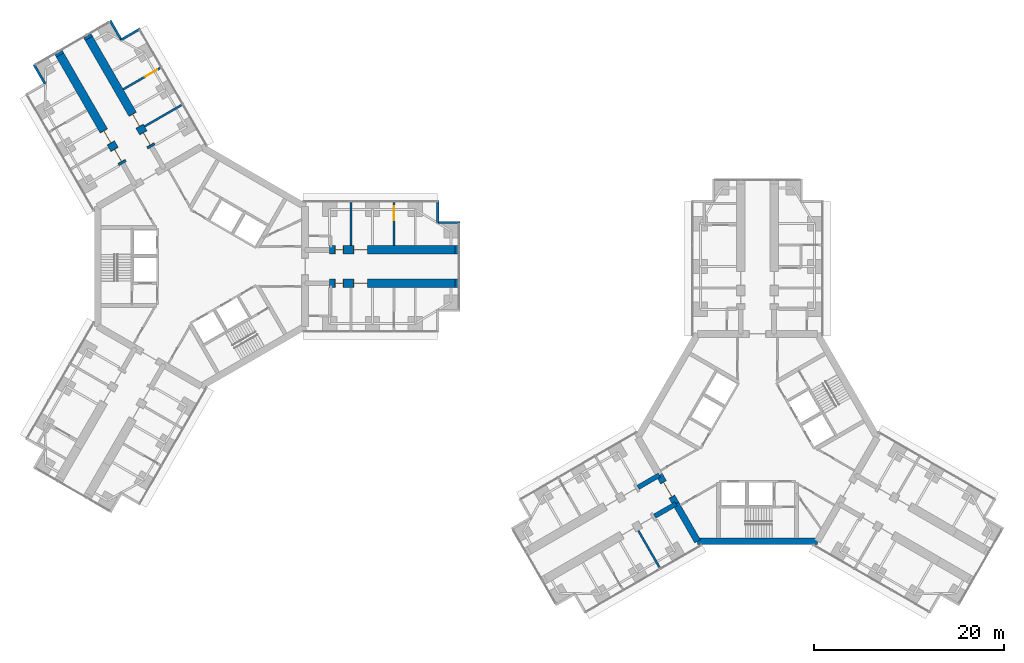
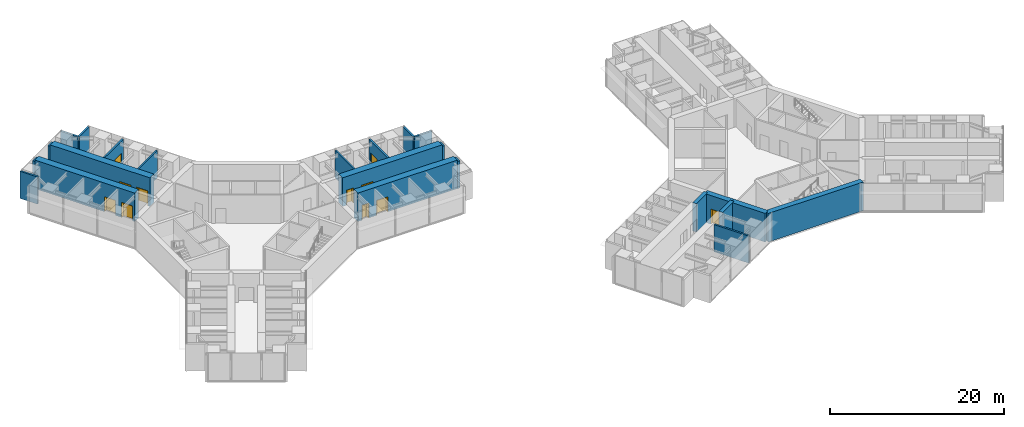
# One storey, part 18 of 22: 23 walls, 11 doors, 11 openings.
"""IFC4 building model written with IfcOpenShell, lengths in metres."""

from ifc_helpers import new_model, si_unit, direction, frame, frame_2d, origin, place, context, subcontext, project, spatial, rectangle, extrude, material, layer, layer_set, type_object, element, fill, save


model = new_model("IFC4")

# Units and contexts
model_context = context("Model", 3, precision=1e-05, world=origin(), true_north=direction((0.0, 1.0)))
body_context = subcontext(model_context, "Body", "Model", "MODEL_VIEW")
ifc_project = project(units=[si_unit("LENGTHUNIT", "METRE"), si_unit("AREAUNIT", "SQUARE_METRE"), si_unit("VOLUMEUNIT", "CUBIC_METRE"), si_unit("PLANEANGLEUNIT", "RADIAN"), si_unit("MASSUNIT", "GRAM", prefix="KILO")], contexts=[model_context])

# Site, building, storey
site_placement = place(None, origin())
site = spatial("IfcSite", under=ifc_project, at=site_placement, CompositionType="ELEMENT")
building_placement = place(site_placement, origin())
building = spatial("IfcBuilding", under=site, at=building_placement, Name="Upepo Twin Towers", CompositionType="ELEMENT")
storey_placement = place(building_placement, frame((0.0, 0.0, 40.5)))
storey = spatial("IfcBuildingStorey", under=building, at=storey_placement, Name="L09", CompositionType="ELEMENT", Elevation=40.5)

# Wall
ifc_material_1 = material(Name="Concrete blockwork, plastered both faces", Category="masonry")
ifc_layer_1 = layer(ifc_material_1, 0.215087890625)
ifc_layer_set_1 = layer_set([ifc_layer_1], Name="Blockwork partition 215")
wall_type_1 = type_object("IfcWallType", Name="Blockwork partition 215", PredefinedType="PARTITIONING", material=ifc_layer_set_1)
wall_1_placement = place(storey_placement, frame((15.75, 2.199951171875, 0.0), z_axis=(0.0, 0.0, 1.0), x_axis=(0.0, 1.0, 0.0)))
element("IfcWall", 1, at=wall_1_placement, inside=storey, type_object=wall_type_1, Name="T1 partition AL at 15.75", PredefinedType="PARTITIONING", context=body_context, shape_type="SweptSolid", body=[
    extrude(rectangle(XDim=4.550048828125, YDim=0.215087890625, at=frame_2d((2.27490234375, 0.0))), origin(), (0.0, 0.0, 1.0), 3.800048828125),
])

# Wall, opening, door
wall_2_placement = place(storey_placement, frame((20.25, 2.199951171875, 0.0), z_axis=(0.0, 0.0, 1.0), x_axis=(0.0, 1.0, 0.0)))
wall_2 = element("IfcWall", 2, at=wall_2_placement, inside=storey, type_object=wall_type_1, Name="T1 partition AL at 20.25", PredefinedType="PARTITIONING", context=body_context, shape_type="SweptSolid", body=[
    extrude(rectangle(XDim=4.550048828125, YDim=0.215087890625, at=frame_2d((2.27490234375, 0.0))), origin(), (0.0, 0.0, 1.0), 3.800048828125),
])
opening_1_placement = place(wall_2_placement, frame((2.64990234375, 0.0, 0.0)))
opening_1 = element("IfcOpeningElement", 3, at=opening_1_placement, cuts=wall_2, Name="Opening D13", PredefinedType="OPENING", context=body_context, shape_type="SweptSolid", body=[
    extrude(rectangle(XDim=1.5, YDim=2.10009765625, at=frame_2d((0.75, 1.050048828125))), frame((0.0, 0.117431640625, 0.0), z_axis=(0.0, -1.0, 0.0), x_axis=(1.0, 0.0, 0.0)), (0.0, 0.0, 1.0), 0.235107421875),
])
ifc_material_2 = material(Name="Timber doorset", Category="wood")
door_type_1 = type_object("IfcDoorType", Name="Double door 1500 FD30", OperationType="DOUBLE_DOOR_SINGLE_SWING", PredefinedType="DOOR", material=ifc_material_2)
door_1_placement = place(opening_1_placement, origin())
door_1 = element("IfcDoor", 4, at=door_1_placement, inside=storey, type_object=door_type_1, Name="T1 L09 connecting door", OperationType="DOUBLE_DOOR_SINGLE_SWING", OverallHeight=2.10009765625, OverallWidth=1.5, PredefinedType="DOOR", context=body_context, shape_type="SweptSolid", body=[
    extrude(rectangle(XDim=1.5, YDim=2.10009765625, at=frame_2d((0.75, 1.050048828125))), frame((0.0, 0.02490234375, 0.0), z_axis=(0.0, -1.0, 0.0), x_axis=(1.0, 0.0, 0.0)), (0.0, 0.0, 1.0), 0.050048828125),
])
fill(opening_1, door_1)

# Wall
wall_3_placement = place(storey_placement, frame((-5.9697265625, 14.739990234375, 0.0), z_axis=(0.0, 0.0, 1.0), x_axis=(0.866035472144, 0.499982560684, 0.0)))
element("IfcWall", 5, at=wall_3_placement, inside=storey, type_object=wall_type_1, Name="T1 partition BR at 15.75", PredefinedType="PARTITIONING", context=body_context, shape_type="SweptSolid", body=[
    extrude(rectangle(XDim=4.550048828125, YDim=0.215087890625, at=frame_2d((2.27490234375, 0.0))), origin(), (0.0, 0.0, 1.0), 3.800048828125),
])

# Wall, opening, door
wall_4_placement = place(storey_placement, frame((-8.2197265625, 18.636962890625, 0.0), z_axis=(0.0, 0.0, 1.0), x_axis=(0.866012237902, 0.500022803284, 0.0)))
wall_4 = element("IfcWall", 6, at=wall_4_placement, inside=storey, type_object=wall_type_1, Name="T1 partition BR at 20.25", PredefinedType="PARTITIONING", context=body_context, shape_type="SweptSolid", body=[
    extrude(rectangle(XDim=4.550048828125, YDim=0.215087890625, at=frame_2d((2.27490234375, 0.0))), origin(), (0.0, 0.0, 1.0), 3.800048828125),
])
opening_2_placement = place(wall_4_placement, frame((2.64990234375, 0.0, 0.0)))
opening_2 = element("IfcOpeningElement", 7, at=opening_2_placement, cuts=wall_4, Name="Opening D13", PredefinedType="OPENING", context=body_context, shape_type="SweptSolid", body=[
    extrude(rectangle(XDim=1.5, YDim=2.10009765625, at=frame_2d((0.75, 1.050048828125))), frame((0.0, 0.117431640625, 0.0), z_axis=(0.0, -1.0, 0.0), x_axis=(1.0, 0.0, 0.0)), (0.0, 0.0, 1.0), 0.235107421875),
])
door_2_placement = place(opening_2_placement, origin())
door_2 = element("IfcDoor", 8, at=door_2_placement, inside=storey, type_object=door_type_1, Name="T1 L09 connecting door", OperationType="DOUBLE_DOOR_SINGLE_SWING", OverallHeight=2.10009765625, OverallWidth=1.5, PredefinedType="DOOR", context=body_context, shape_type="SweptSolid", body=[
    extrude(rectangle(XDim=1.5, YDim=2.10009765625, at=frame_2d((0.75, 1.050048828125))), frame((0.0, 0.02490234375, 0.0), z_axis=(0.0, -1.0, 0.0), x_axis=(1.0, 0.0, 0.0)), (0.0, 0.0, 1.0), 0.050048828125),
])
fill(opening_2, door_2)

# Walls
wall_5_placement = place(storey_placement, frame((45.960205078125, -27.7802734375, 0.0), z_axis=(0.0, 0.0, 1.0), x_axis=(0.499982560684, -0.866035472144, 0.0)))
element("IfcWall", 9, at=wall_5_placement, inside=storey, type_object=wall_type_1, Name="T2 partition BL at 15.75", PredefinedType="PARTITIONING", context=body_context, shape_type="SweptSolid", body=[
    extrude(rectangle(XDim=4.550048828125, YDim=0.215087890625, at=frame_2d((2.27490234375, 0.0))), origin(), (0.0, 0.0, 1.0), 3.800048828125),
])
ifc_material_3 = material(Name="Dense concrete blockwork", Category="masonry")
ifc_layer_2 = layer(ifc_material_3, 0.89990234375)
ifc_layer_set_2 = layer_set([ifc_layer_2], Name="Buttress closer 900, blockwork with fire-stopping to the curtain wall")
wall_type_2 = type_object("IfcWallType", Name="Buttress closer 900, blockwork with fire-stopping to the curtain wall", PredefinedType="PARTITIONING", material=ifc_layer_set_2)
for number, where, z_axis, x_axis, name in (
    (10, (26.699951171875, 1.75, 0.0), (0.0, 0.0, 1.0), (1.0, 0.0, 0.0), "T1 L09 wing A buttress closer L"),
    (11, (26.699951171875, -1.75, 0.0), (0.0, 0.0, 1.0), (1.0, 0.0, 0.0), "T1 L09 wing A buttress closer R"),
    (12, (-14.865478515625, 22.247802734375, 0.0), (0.0, 0.0, 1.0), (-0.499949632511, 0.866054481515, 0.0), "T1 L09 wing B buttress closer L"),
    (13, (-11.83447265625, 23.997802734375, 0.0), (0.0, 0.0, 1.0), (-0.499949632511, 0.866054481515, 0.0), "T1 L09 wing B buttress closer R"),
):
    element("IfcWall", number, at=place(storey_placement, frame(where, z_axis=z_axis, x_axis=x_axis)), inside=storey, type_object=wall_type_2, Name=name, PredefinedType="PARTITIONING", context=body_context, shape_type="SweptSolid", body=[
        extrude(rectangle(XDim=0.31005859375, YDim=0.89990234375, at=frame_2d((0.155029296875, 0.0))), origin(), (0.0, 0.0, 1.0), 3.800048828125),
    ])
ifc_material_4 = material(Name="Concrete C60/75", Category="concrete")
ifc_layer_3 = layer(ifc_material_4, 0.5)
ifc_layer_set_3 = layer_set([ifc_layer_3], Name="Concrete C60/75")
wall_type_3 = type_object("IfcWallType", Name="Buttress wall 500 RC", PredefinedType="SHEAR", material=ifc_layer_set_3)
for number, where, z_axis, x_axis, name in (
    (14, (49.92822265625, -24.9697265625, 0.0), (0.0, 0.0, 1.0), (-0.866031863473, -0.499988811324, 0.0), "T2 wing B buttress wall L"),
    (15, (48.17822265625, -21.938720703125, 0.0), (0.0, 0.0, 1.0), (-0.866072649678, -0.499918158782, 0.0), "T2 wing B buttress wall R"),
):
    element("IfcWall", number, at=place(storey_placement, frame(where, z_axis=z_axis, x_axis=x_axis)), inside=storey, type_object=wall_type_3, Name=name, PredefinedType="SHEAR", context=body_context, shape_type="SweptSolid", body=[
        extrude(rectangle(XDim=2.591796875, YDim=0.5, at=frame_2d((1.2958984375, 0.0))), origin(), (0.0, 0.0, 1.0), 4.0),
    ])

# Wall, openings, doors
ifc_material_5 = material(Name="Concrete C60/75", Category="concrete")
ifc_layer_4 = layer(ifc_material_5, 0.89990234375)
ifc_layer_set_4 = layer_set([ifc_layer_4], Name="Concrete C60/75")
wall_type_4 = type_object("IfcWallType", Name="Buttress wall 900 RC", PredefinedType="SHEAR", material=ifc_layer_set_4)
wall_6_placement = place(storey_placement, frame((13.5, 1.75, 0.0), z_axis=(0.0, 0.0, 1.0), x_axis=(1.0, 0.0, 0.0)))
wall_6 = element("IfcWall", 16, at=wall_6_placement, inside=storey, type_object=wall_type_4, Name="T1 wing A buttress wall L part 2", PredefinedType="SHEAR", context=body_context, shape_type="SweptSolid", body=[
    extrude(rectangle(XDim=13.199951171875, YDim=0.89990234375, at=frame_2d((6.60009765625, 0.0))), origin(), (0.0, 0.0, 1.0), 4.0),
])
opening_3_placement = place(wall_6_placement, frame((0.550048828125, 0.0, 0.0)))
opening_3 = element("IfcOpeningElement", 17, at=opening_3_placement, cuts=wall_6, Name="Opening D11", PredefinedType="OPENING", context=body_context, shape_type="SweptSolid", body=[
    extrude(rectangle(XDim=0.89990234375, YDim=2.10009765625, at=frame_2d((0.449951171875, 1.050048828125))), frame((0.0, 0.4599609375, 0.0), z_axis=(0.0, -1.0, 0.0), x_axis=(1.0, 0.0, 0.0)), (0.0, 0.0, 1.0), 0.919921875),
])
opening_4_placement = place(wall_6_placement, frame((2.5, 0.0, 0.0)))
opening_4 = element("IfcOpeningElement", 18, at=opening_4_placement, cuts=wall_6, Name="Opening D13", PredefinedType="OPENING", context=body_context, shape_type="SweptSolid", body=[
    extrude(rectangle(XDim=1.5, YDim=2.10009765625, at=frame_2d((0.75, 1.050048828125))), frame((0.0, 0.4599609375, 0.0), z_axis=(0.0, -1.0, 0.0), x_axis=(1.0, 0.0, 0.0)), (0.0, 0.0, 1.0), 0.919921875),
])
door_3_placement = place(opening_4_placement, origin())
door_3 = element("IfcDoor", 19, at=door_3_placement, inside=storey, type_object=door_type_1, Name="T1 L09 instrument room door", OperationType="DOUBLE_DOOR_SINGLE_SWING", OverallHeight=2.10009765625, OverallWidth=1.5, PredefinedType="DOOR", context=body_context, shape_type="SweptSolid", body=[
    extrude(rectangle(XDim=1.42, YDim=2.06009765625, at=frame_2d((0.75, 1.030029296875))), frame((0.0, 0.02490234375, 0.0), z_axis=(0.0, -1.0, 0.0), x_axis=(1.0, 0.0, 0.0)), (0.0, 0.0, 1.0), 0.050048828125),
    extrude(rectangle(XDim=0.04, YDim=2.10009765625, at=frame_2d((0.02001953125, 1.050048828125))), frame((0.0, 0.44970703125, 0.0), z_axis=(0.0, -1.0, 0.0), x_axis=(1.0, 0.0, 0.0)), (0.0, 0.0, 1.0), 0.8994140625),
    extrude(rectangle(XDim=0.04, YDim=2.10009765625, at=frame_2d((1.47998046875, 1.050048828125))), frame((0.0, 0.44970703125, 0.0), z_axis=(0.0, -1.0, 0.0), x_axis=(1.0, 0.0, 0.0)), (0.0, 0.0, 1.0), 0.8994140625),
    extrude(rectangle(XDim=1.42, YDim=0.04, at=frame_2d((0.75, 2.080078125))), frame((0.0, 0.44970703125, 0.0), z_axis=(0.0, -1.0, 0.0), x_axis=(1.0, 0.0, 0.0)), (0.0, 0.0, 1.0), 0.8994140625),
])
fill(opening_4, door_3)
ifc_material_6 = material(Name="Timber doorset", Category="wood")
door_type_2 = type_object("IfcDoorType", Name="Toilet door 900", OperationType="SINGLE_SWING_LEFT", PredefinedType="DOOR", material=ifc_material_6)
door_4_placement = place(opening_3_placement, origin())
door_4 = element("IfcDoor", 20, at=door_4_placement, inside=storey, type_object=door_type_2, Name="T1 L09 toilets door", OperationType="SINGLE_SWING_LEFT", OverallHeight=2.10009765625, OverallWidth=0.89990234375, PredefinedType="DOOR", context=body_context, shape_type="SweptSolid", body=[
    extrude(rectangle(XDim=0.81990234375, YDim=2.06009765625, at=frame_2d((0.449951171875, 1.030029296875))), frame((0.0, 0.02490234375, 0.0), z_axis=(0.0, -1.0, 0.0), x_axis=(1.0, 0.0, 0.0)), (0.0, 0.0, 1.0), 0.050048828125),
    extrude(rectangle(XDim=0.04, YDim=2.10009765625, at=frame_2d((0.02001953125, 1.050048828125))), frame((0.0, 0.44970703125, 0.0), z_axis=(0.0, -1.0, 0.0), x_axis=(1.0, 0.0, 0.0)), (0.0, 0.0, 1.0), 0.8994140625),
    extrude(rectangle(XDim=0.04, YDim=2.10009765625, at=frame_2d((0.8798828125, 1.050048828125))), frame((0.0, 0.44970703125, 0.0), z_axis=(0.0, -1.0, 0.0), x_axis=(1.0, 0.0, 0.0)), (0.0, 0.0, 1.0), 0.8994140625),
    extrude(rectangle(XDim=0.81990234375, YDim=0.04, at=frame_2d((0.449951171875, 2.080078125))), frame((0.0, 0.44970703125, 0.0), z_axis=(0.0, -1.0, 0.0), x_axis=(1.0, 0.0, 0.0)), (0.0, 0.0, 1.0), 0.8994140625),
])
fill(opening_3, door_4)

wall_7_placement = place(storey_placement, frame((13.5, -1.75, 0.0), z_axis=(0.0, 0.0, 1.0), x_axis=(1.0, 0.0, 0.0)))
wall_7 = element("IfcWall", 21, at=wall_7_placement, inside=storey, type_object=wall_type_4, Name="T1 wing A buttress wall R part 2", PredefinedType="SHEAR", context=body_context, shape_type="SweptSolid", body=[
    extrude(rectangle(XDim=13.199951171875, YDim=0.89990234375, at=frame_2d((6.60009765625, 0.0))), origin(), (0.0, 0.0, 1.0), 4.0),
])
opening_5_placement = place(wall_7_placement, frame((0.550048828125, 0.0, 0.0)))
opening_5 = element("IfcOpeningElement", 22, at=opening_5_placement, cuts=wall_7, Name="Opening D11", PredefinedType="OPENING", context=body_context, shape_type="SweptSolid", body=[
    extrude(rectangle(XDim=0.89990234375, YDim=2.10009765625, at=frame_2d((0.449951171875, 1.050048828125))), frame((0.0, 0.4599609375, 0.0), z_axis=(0.0, -1.0, 0.0), x_axis=(1.0, 0.0, 0.0)), (0.0, 0.0, 1.0), 0.919921875),
])
opening_6_placement = place(wall_7_placement, frame((2.5, 0.0, 0.0)))
opening_6 = element("IfcOpeningElement", 23, at=opening_6_placement, cuts=wall_7, Name="Opening D13", PredefinedType="OPENING", context=body_context, shape_type="SweptSolid", body=[
    extrude(rectangle(XDim=1.5, YDim=2.10009765625, at=frame_2d((0.75, 1.050048828125))), frame((0.0, 0.4599609375, 0.0), z_axis=(0.0, -1.0, 0.0), x_axis=(1.0, 0.0, 0.0)), (0.0, 0.0, 1.0), 0.919921875),
])
door_5_placement = place(opening_6_placement, origin())
door_5 = element("IfcDoor", 24, at=door_5_placement, inside=storey, type_object=door_type_1, Name="T1 L09 laboratory prep room door", OperationType="DOUBLE_DOOR_SINGLE_SWING", OverallHeight=2.10009765625, OverallWidth=1.5, PredefinedType="DOOR", context=body_context, shape_type="SweptSolid", body=[
    extrude(rectangle(XDim=1.42, YDim=2.06009765625, at=frame_2d((0.75, 1.030029296875))), frame((0.0, 0.02490234375, 0.0), z_axis=(0.0, -1.0, 0.0), x_axis=(1.0, 0.0, 0.0)), (0.0, 0.0, 1.0), 0.050048828125),
    extrude(rectangle(XDim=0.04, YDim=2.10009765625, at=frame_2d((0.02001953125, 1.050048828125))), frame((0.0, 0.44970703125, 0.0), z_axis=(0.0, -1.0, 0.0), x_axis=(1.0, 0.0, 0.0)), (0.0, 0.0, 1.0), 0.8994140625),
    extrude(rectangle(XDim=0.04, YDim=2.10009765625, at=frame_2d((1.47998046875, 1.050048828125))), frame((0.0, 0.44970703125, 0.0), z_axis=(0.0, -1.0, 0.0), x_axis=(1.0, 0.0, 0.0)), (0.0, 0.0, 1.0), 0.8994140625),
    extrude(rectangle(XDim=1.42, YDim=0.04, at=frame_2d((0.75, 2.080078125))), frame((0.0, 0.44970703125, 0.0), z_axis=(0.0, -1.0, 0.0), x_axis=(1.0, 0.0, 0.0)), (0.0, 0.0, 1.0), 0.8994140625),
])
fill(opening_6, door_5)
door_6_placement = place(opening_5_placement, origin())
door_6 = element("IfcDoor", 25, at=door_6_placement, inside=storey, type_object=door_type_2, Name="T1 L09 accessible wc door", OperationType="SINGLE_SWING_LEFT", OverallHeight=2.10009765625, OverallWidth=0.89990234375, PredefinedType="DOOR", context=body_context, shape_type="SweptSolid", body=[
    extrude(rectangle(XDim=0.81990234375, YDim=2.06009765625, at=frame_2d((0.449951171875, 1.030029296875))), frame((0.0, 0.02490234375, 0.0), z_axis=(0.0, -1.0, 0.0), x_axis=(1.0, 0.0, 0.0)), (0.0, 0.0, 1.0), 0.050048828125),
    extrude(rectangle(XDim=0.04, YDim=2.10009765625, at=frame_2d((0.02001953125, 1.050048828125))), frame((0.0, 0.44970703125, 0.0), z_axis=(0.0, -1.0, 0.0), x_axis=(1.0, 0.0, 0.0)), (0.0, 0.0, 1.0), 0.8994140625),
    extrude(rectangle(XDim=0.04, YDim=2.10009765625, at=frame_2d((0.8798828125, 1.050048828125))), frame((0.0, 0.44970703125, 0.0), z_axis=(0.0, -1.0, 0.0), x_axis=(1.0, 0.0, 0.0)), (0.0, 0.0, 1.0), 0.8994140625),
    extrude(rectangle(XDim=0.81990234375, YDim=0.04, at=frame_2d((0.449951171875, 2.080078125))), frame((0.0, 0.44970703125, 0.0), z_axis=(0.0, -1.0, 0.0), x_axis=(1.0, 0.0, 0.0)), (0.0, 0.0, 1.0), 0.8994140625),
])
fill(opening_5, door_6)

wall_8_placement = place(storey_placement, frame((-8.265625, 10.81640625, 0.0), z_axis=(0.0, 0.0, 1.0), x_axis=(-0.499996231654, 0.866027579429, 0.0)))
wall_8 = element("IfcWall", 26, at=wall_8_placement, inside=storey, type_object=wall_type_4, Name="T1 wing B buttress wall L part 2", PredefinedType="SHEAR", context=body_context, shape_type="SweptSolid", body=[
    extrude(rectangle(XDim=13.19970703125, YDim=0.89990234375, at=frame_2d((6.599853515625, 0.0))), origin(), (0.0, 0.0, 1.0), 4.0),
])
opening_7_placement = place(wall_8_placement, frame((0.25, 0.0, 0.0)))
opening_7 = element("IfcOpeningElement", 27, at=opening_7_placement, cuts=wall_8, Name="Opening D13", PredefinedType="OPENING", context=body_context, shape_type="SweptSolid", body=[
    extrude(rectangle(XDim=1.5, YDim=2.10009765625, at=frame_2d((0.75, 1.050048828125))), frame((0.0, 0.4599609375, 0.0), z_axis=(0.0, -1.0, 0.0), x_axis=(1.0, 0.0, 0.0)), (0.0, 0.0, 1.0), 0.919921875),
])
opening_8_placement = place(wall_8_placement, frame((2.5, 0.0, 0.0)))
opening_8 = element("IfcOpeningElement", 28, at=opening_8_placement, cuts=wall_8, Name="Opening D13", PredefinedType="OPENING", context=body_context, shape_type="SweptSolid", body=[
    extrude(rectangle(XDim=1.5, YDim=2.10009765625, at=frame_2d((0.75, 1.050048828125))), frame((0.0, 0.4599609375, 0.0), z_axis=(0.0, -1.0, 0.0), x_axis=(1.0, 0.0, 0.0)), (0.0, 0.0, 1.0), 0.919921875),
])
door_7_placement = place(opening_7_placement, origin())
door_7 = element("IfcDoor", 29, at=door_7_placement, inside=storey, type_object=door_type_1, Name="T1 L09 instrument room door", OperationType="DOUBLE_DOOR_SINGLE_SWING", OverallHeight=2.10009765625, OverallWidth=1.5, PredefinedType="DOOR", context=body_context, shape_type="SweptSolid", body=[
    extrude(rectangle(XDim=1.42, YDim=2.06009765625, at=frame_2d((0.75, 1.030029296875))), frame((0.0, 0.02490234375, 0.0), z_axis=(0.0, -1.0, 0.0), x_axis=(1.0, 0.0, 0.0)), (0.0, 0.0, 1.0), 0.050048828125),
    extrude(rectangle(XDim=0.04, YDim=2.10009765625, at=frame_2d((0.02001953125, 1.050048828125))), frame((0.0, 0.44970703125, 0.0), z_axis=(0.0, -1.0, 0.0), x_axis=(1.0, 0.0, 0.0)), (0.0, 0.0, 1.0), 0.8994140625),
    extrude(rectangle(XDim=0.04, YDim=2.10009765625, at=frame_2d((1.47998046875, 1.050048828125))), frame((0.0, 0.44970703125, 0.0), z_axis=(0.0, -1.0, 0.0), x_axis=(1.0, 0.0, 0.0)), (0.0, 0.0, 1.0), 0.8994140625),
    extrude(rectangle(XDim=1.42, YDim=0.04, at=frame_2d((0.75, 2.080078125))), frame((0.0, 0.44970703125, 0.0), z_axis=(0.0, -1.0, 0.0), x_axis=(1.0, 0.0, 0.0)), (0.0, 0.0, 1.0), 0.8994140625),
])
fill(opening_7, door_7)
door_8_placement = place(opening_8_placement, origin())
door_8 = element("IfcDoor", 30, at=door_8_placement, inside=storey, type_object=door_type_1, Name="T1 L09 write-up room door", OperationType="DOUBLE_DOOR_SINGLE_SWING", OverallHeight=2.10009765625, OverallWidth=1.5, PredefinedType="DOOR", context=body_context, shape_type="SweptSolid", body=[
    extrude(rectangle(XDim=1.42, YDim=2.06009765625, at=frame_2d((0.75, 1.030029296875))), frame((0.0, 0.02490234375, 0.0), z_axis=(0.0, -1.0, 0.0), x_axis=(1.0, 0.0, 0.0)), (0.0, 0.0, 1.0), 0.050048828125),
    extrude(rectangle(XDim=0.04, YDim=2.10009765625, at=frame_2d((0.02001953125, 1.050048828125))), frame((0.0, 0.44970703125, 0.0), z_axis=(0.0, -1.0, 0.0), x_axis=(1.0, 0.0, 0.0)), (0.0, 0.0, 1.0), 0.8994140625),
    extrude(rectangle(XDim=0.04, YDim=2.10009765625, at=frame_2d((1.47998046875, 1.050048828125))), frame((0.0, 0.44970703125, 0.0), z_axis=(0.0, -1.0, 0.0), x_axis=(1.0, 0.0, 0.0)), (0.0, 0.0, 1.0), 0.8994140625),
    extrude(rectangle(XDim=1.42, YDim=0.04, at=frame_2d((0.75, 2.080078125))), frame((0.0, 0.44970703125, 0.0), z_axis=(0.0, -1.0, 0.0), x_axis=(1.0, 0.0, 0.0)), (0.0, 0.0, 1.0), 0.8994140625),
])
fill(opening_8, door_8)

wall_9_placement = place(storey_placement, frame((-5.234375, 12.56640625, 0.0), z_axis=(0.0, 0.0, 1.0), x_axis=(-0.500010103361, 0.866019570528, 0.0)))
wall_9 = element("IfcWall", 31, at=wall_9_placement, inside=storey, type_object=wall_type_4, Name="T1 wing B buttress wall R part 2", PredefinedType="SHEAR", context=body_context, shape_type="SweptSolid", body=[
    extrude(rectangle(XDim=13.199951171875, YDim=0.89990234375, at=frame_2d((6.60009765625, 0.0))), origin(), (0.0, 0.0, 1.0), 4.0),
])
opening_9_placement = place(wall_9_placement, frame((0.25, 0.0, 0.0)))
opening_9 = element("IfcOpeningElement", 32, at=opening_9_placement, cuts=wall_9, Name="Opening D13", PredefinedType="OPENING", context=body_context, shape_type="SweptSolid", body=[
    extrude(rectangle(XDim=1.5, YDim=2.10009765625, at=frame_2d((0.75, 1.050048828125))), frame((0.0, 0.4599609375, 0.0), z_axis=(0.0, -1.0, 0.0), x_axis=(1.0, 0.0, 0.0)), (0.0, 0.0, 1.0), 0.919921875),
])
opening_10_placement = place(wall_9_placement, frame((2.5, 0.0, 0.0)))
opening_10 = element("IfcOpeningElement", 33, at=opening_10_placement, cuts=wall_9, Name="Opening D13", PredefinedType="OPENING", context=body_context, shape_type="SweptSolid", body=[
    extrude(rectangle(XDim=1.5, YDim=2.10009765625, at=frame_2d((0.75, 1.050048828125))), frame((0.0, 0.4599609375, 0.0), z_axis=(0.0, -1.0, 0.0), x_axis=(1.0, 0.0, 0.0)), (0.0, 0.0, 1.0), 0.919921875),
])
door_9_placement = place(opening_9_placement, origin())
door_9 = element("IfcDoor", 34, at=door_9_placement, inside=storey, type_object=door_type_1, Name="T1 L09 research laboratory door", OperationType="DOUBLE_DOOR_SINGLE_SWING", OverallHeight=2.10009765625, OverallWidth=1.5, PredefinedType="DOOR", context=body_context, shape_type="SweptSolid", body=[
    extrude(rectangle(XDim=1.42, YDim=2.06009765625, at=frame_2d((0.75, 1.030029296875))), frame((0.0, 0.02490234375, 0.0), z_axis=(0.0, -1.0, 0.0), x_axis=(1.0, 0.0, 0.0)), (0.0, 0.0, 1.0), 0.050048828125),
    extrude(rectangle(XDim=0.04, YDim=2.10009765625, at=frame_2d((0.02001953125, 1.050048828125))), frame((0.0, 0.44970703125, 0.0), z_axis=(0.0, -1.0, 0.0), x_axis=(1.0, 0.0, 0.0)), (0.0, 0.0, 1.0), 0.8994140625),
    extrude(rectangle(XDim=0.04, YDim=2.10009765625, at=frame_2d((1.47998046875, 1.050048828125))), frame((0.0, 0.44970703125, 0.0), z_axis=(0.0, -1.0, 0.0), x_axis=(1.0, 0.0, 0.0)), (0.0, 0.0, 1.0), 0.8994140625),
    extrude(rectangle(XDim=1.42, YDim=0.04, at=frame_2d((0.75, 2.080078125))), frame((0.0, 0.44970703125, 0.0), z_axis=(0.0, -1.0, 0.0), x_axis=(1.0, 0.0, 0.0)), (0.0, 0.0, 1.0), 0.8994140625),
])
fill(opening_9, door_9)
door_10_placement = place(opening_10_placement, origin())
door_10 = element("IfcDoor", 35, at=door_10_placement, inside=storey, type_object=door_type_1, Name="T1 L09 instrument room door", OperationType="DOUBLE_DOOR_SINGLE_SWING", OverallHeight=2.10009765625, OverallWidth=1.5, PredefinedType="DOOR", context=body_context, shape_type="SweptSolid", body=[
    extrude(rectangle(XDim=1.42, YDim=2.06009765625, at=frame_2d((0.75, 1.030029296875))), frame((0.0, 0.02490234375, 0.0), z_axis=(0.0, -1.0, 0.0), x_axis=(1.0, 0.0, 0.0)), (0.0, 0.0, 1.0), 0.050048828125),
    extrude(rectangle(XDim=0.04, YDim=2.10009765625, at=frame_2d((0.02001953125, 1.050048828125))), frame((0.0, 0.44970703125, 0.0), z_axis=(0.0, -1.0, 0.0), x_axis=(1.0, 0.0, 0.0)), (0.0, 0.0, 1.0), 0.8994140625),
    extrude(rectangle(XDim=0.04, YDim=2.10009765625, at=frame_2d((1.47998046875, 1.050048828125))), frame((0.0, 0.44970703125, 0.0), z_axis=(0.0, -1.0, 0.0), x_axis=(1.0, 0.0, 0.0)), (0.0, 0.0, 1.0), 0.8994140625),
    extrude(rectangle(XDim=1.42, YDim=0.04, at=frame_2d((0.75, 2.080078125))), frame((0.0, 0.44970703125, 0.0), z_axis=(0.0, -1.0, 0.0), x_axis=(1.0, 0.0, 0.0)), (0.0, 0.0, 1.0), 0.8994140625),
])
fill(opening_10, door_10)

# Wall, opening, door
ifc_material_7 = material(Name="Concrete C60/75", Category="concrete")
ifc_layer_5 = layer(ifc_material_7, 0.699951171875)
ifc_layer_set_5 = layer_set([ifc_layer_5], Name="Concrete C60/75")
wall_type_5 = type_object("IfcWallType", Name="Core wall 700 RC", PredefinedType="SHEAR", material=ifc_layer_set_5)
wall_10_placement = place(storey_placement, frame((48.17822265625, -21.938720703125, 0.0), z_axis=(0.0, 0.0, 1.0), x_axis=(0.500010275428, -0.866019471182, 0.0)))
wall_10 = element("IfcWall", 36, at=wall_10_placement, inside=storey, type_object=wall_type_5, Name="T2 core wall 120", PredefinedType="SHEAR", context=body_context, shape_type="SweptSolid", body=[
    extrude(rectangle(XDim=3.5, YDim=0.699951171875, at=frame_2d((1.75, 0.0))), origin(), (0.0, 0.0, 1.0), 4.0),
])
opening_11_placement = place(wall_10_placement, frame((0.85009765625, 0.0, 0.0)))
opening_11 = element("IfcOpeningElement", 37, at=opening_11_placement, cuts=wall_10, Name="Opening D2", PredefinedType="OPENING", context=body_context, shape_type="SweptSolid", body=[
    extrude(rectangle(XDim=1.800048828125, YDim=2.10009765625, at=frame_2d((0.89990234375, 1.050048828125))), frame((0.0, 0.35986328125, 0.0), z_axis=(0.0, -1.0, 0.0), x_axis=(1.0, 0.0, 0.0)), (0.0, 0.0, 1.0), 0.719970703125),
])
ifc_material_8 = material(Name="Timber doorset", Category="wood")
door_type_3 = type_object("IfcDoorType", Name="Corridor double door 1800 FD60", OperationType="DOUBLE_DOOR_DOUBLE_SWING", PredefinedType="DOOR", material=ifc_material_8)
door_11_placement = place(opening_11_placement, origin())
door_11 = element("IfcDoor", 38, at=door_11_placement, inside=storey, type_object=door_type_3, Name="T2 L09 wing B corridor door", OperationType="DOUBLE_DOOR_DOUBLE_SWING", OverallHeight=2.10009765625, OverallWidth=1.800048828125, PredefinedType="DOOR", context=body_context, shape_type="SweptSolid", body=[
    extrude(rectangle(XDim=1.720048828125, YDim=2.06009765625, at=frame_2d((0.89990234375, 1.030029296875))), frame((0.0, 0.02490234375, 0.0), z_axis=(0.0, -1.0, 0.0), x_axis=(1.0, 0.0, 0.0)), (0.0, 0.0, 1.0), 0.050048828125),
    extrude(rectangle(XDim=0.04, YDim=2.10009765625, at=frame_2d((0.02001953125, 1.050048828125))), frame((0.0, 0.349609375, 0.0), z_axis=(0.0, -1.0, 0.0), x_axis=(1.0, 0.0, 0.0)), (0.0, 0.0, 1.0), 0.699462890625),
    extrude(rectangle(XDim=0.04, YDim=2.10009765625, at=frame_2d((1.780029296875, 1.050048828125))), frame((0.0, 0.349609375, 0.0), z_axis=(0.0, -1.0, 0.0), x_axis=(1.0, 0.0, 0.0)), (0.0, 0.0, 1.0), 0.699462890625),
    extrude(rectangle(XDim=1.720048828125, YDim=0.04, at=frame_2d((0.89990234375, 2.080078125))), frame((0.0, 0.349609375, 0.0), z_axis=(0.0, -1.0, 0.0), x_axis=(1.0, 0.0, 0.0)), (0.0, 0.0, 1.0), 0.699462890625),
])
fill(opening_11, door_11)

# Walls
wall_11_placement = place(storey_placement, frame((49.92822265625, -24.9697265625, 0.0), z_axis=(0.0, 0.0, 1.0), x_axis=(0.499984222037, -0.866034513004, 0.0)))
element("IfcWall", 39, at=wall_11_placement, inside=storey, type_object=wall_type_5, Name="T2 core wall 120 L", PredefinedType="SHEAR", context=body_context, shape_type="SweptSolid", body=[
    extrude(rectangle(XDim=4.548095703125, YDim=0.699951171875, at=frame_2d((2.27392578125, 0.0))), origin(), (0.0, 0.0, 1.0), 4.0),
])
wall_12_placement = place(storey_placement, frame((52.2021484375, -28.908447265625, 0.0), z_axis=(0.0, 0.0, 1.0), x_axis=(1.0, 0.0, 0.0)))
element("IfcWall", 40, at=wall_12_placement, inside=storey, type_object=wall_type_5, Name="T2 core wall 180", PredefinedType="SHEAR", context=body_context, shape_type="SweptSolid", body=[
    extrude(rectangle(XDim=12.595703125, YDim=0.699951171875, at=frame_2d((6.2978515625, 0.0))), origin(), (0.0, 0.0, 1.0), 4.0),
])
ifc_material_9 = material(Name="Blockwork with anodised aluminium cladding", Category="masonry")
ifc_layer_6 = layer(ifc_material_9, 0.25)
ifc_layer_set_6 = layer_set([ifc_layer_6], Name="Notch cladding wall 250, pale metal")
wall_type_6 = type_object("IfcWallType", Name="Notch cladding wall 250, pale metal", PredefinedType="STANDARD", material=ifc_layer_set_6)
for number, where, z_axis, x_axis, name in (
    (41, (24.875, 6.949951171875, 0.0), (0.0, 0.0, 1.0), (0.0, -1.0, 0.0), "T1 L09 wing A notch wall L1"),
    (42, (24.875, 4.625, 0.0), (0.0, 0.0, 1.0), (1.0, 0.0, 0.0), "T1 L09 wing A notch wall L2"),
    (43, (-16.44287109375, 19.22998046875, 0.0), (0.0, 0.0, 1.0), (-0.500046648681, 0.865998469481, 0.0), "T1 L09 wing B notch wall L2"),
    (44, (-6.418701171875, 25.017333984375, 0.0), (0.0, 0.0, 1.0), (-0.866043940782, -0.499967891604, 0.0), "T1 L09 wing B notch wall R1"),
    (45, (-8.43212890625, 23.85498046875, 0.0), (0.0, 0.0, 1.0), (-0.500046648681, 0.865998469481, 0.0), "T1 L09 wing B notch wall R2"),
):
    element("IfcWall", number, at=place(storey_placement, frame(where, z_axis=z_axis, x_axis=x_axis)), inside=storey, type_object=wall_type_6, Name=name, PredefinedType="STANDARD", context=body_context, shape_type="SweptSolid", body=[
        extrude(rectangle(XDim=2.324951171875, YDim=0.25, at=frame_2d((1.16259765625, 0.0))), origin(), (0.0, 0.0, 1.0), 3.800048828125),
    ])

save(model, "model.ifc")
